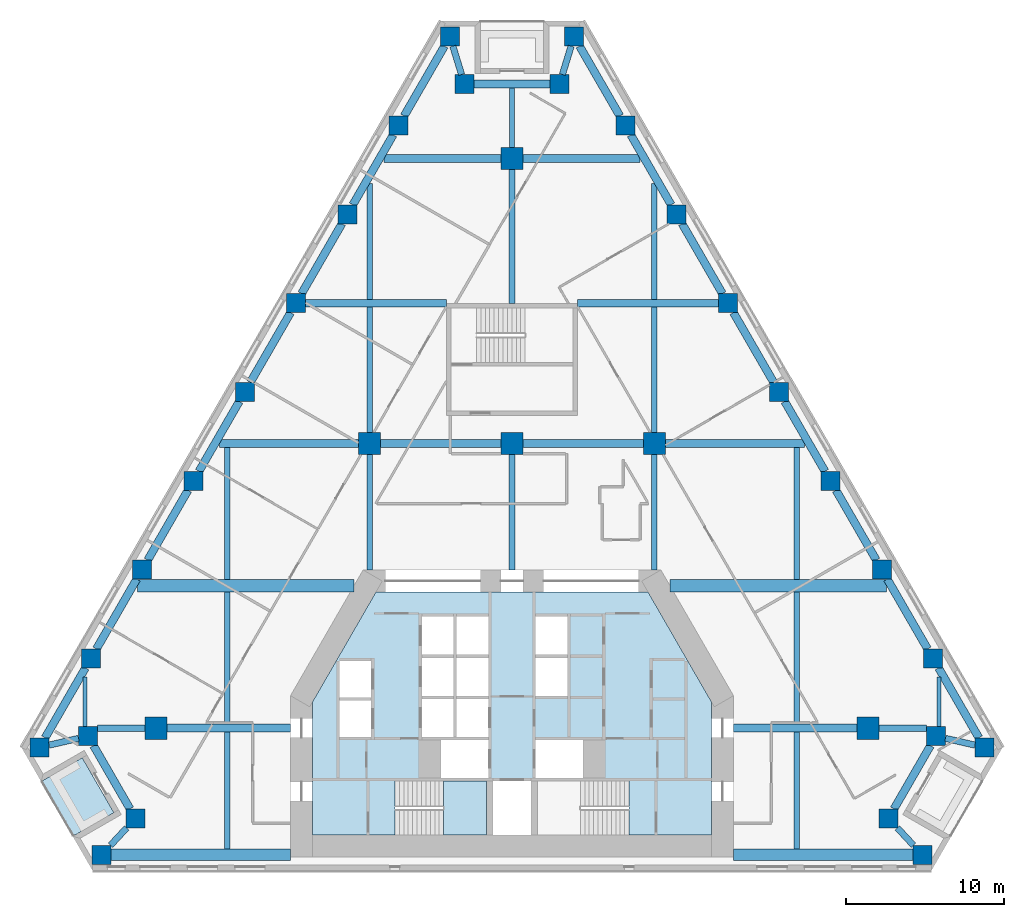
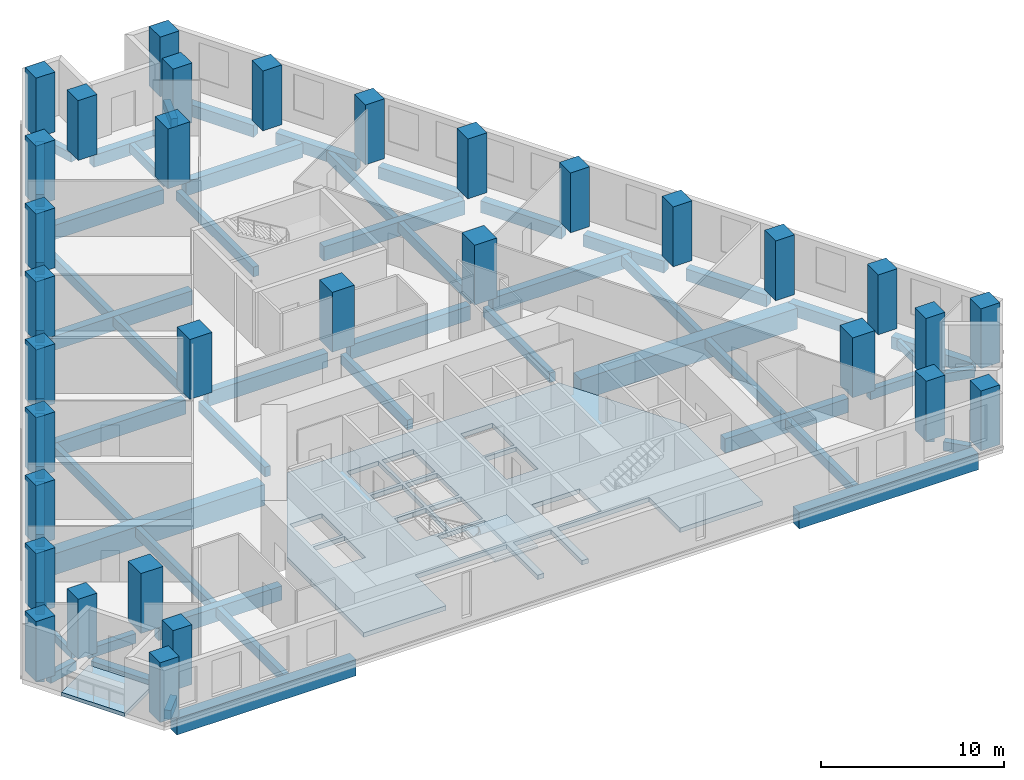
# One storey, part 1 of 9: 58 beams, 32 columns, 3 slabs, 1 element without a shape of its own.
"""IFC4 building model written with IfcOpenShell, lengths in metres."""

from ifc_helpers import new_model, si_unit, direction, frame, origin, origin_2d, place, context, subcontext, project, spatial, polyline, rectangle, outline, extrude, material, layer, layer_set, material_profile, profile_set, type_object, element, aggregate, save


model = new_model("IFC4")

# Units and contexts
model_context = context("Model", 3, precision=1e-05, world=origin(), true_north=direction((0.0, 1.0)))
body_context = subcontext(model_context, "Body", "Model", "MODEL_VIEW")
ifc_project = project(units=[si_unit("LENGTHUNIT", "METRE"), si_unit("AREAUNIT", "SQUARE_METRE"), si_unit("VOLUMEUNIT", "CUBIC_METRE"), si_unit("PLANEANGLEUNIT", "RADIAN"), si_unit("MASSUNIT", "GRAM", prefix="KILO")], contexts=[model_context])

# Site, building, storey
site_placement = place(None, origin())
site = spatial("IfcSite", under=ifc_project, at=site_placement, CompositionType="ELEMENT")
building_placement = place(site_placement, origin())
building = spatial("IfcBuilding", under=site, at=building_placement, Name="Fogline Exchange Tower", CompositionType="ELEMENT")
storey_placement = place(building_placement, frame((0.0, 0.0, 84.89990234375)))
storey = spatial("IfcBuildingStorey", under=building, at=storey_placement, Name="L18", CompositionType="ELEMENT", Elevation=84.89990234375)

# Columns
ifc_material_1 = material(Name="Concrete C80", Category="concrete")
ifc_material_profile_1 = material_profile(ifc_material_1, rectangle(XDim=1.199951171875, YDim=1.199951171875, at=origin_2d()), Name="RC 1200x1200")
ifc_profile_set_1 = profile_set([ifc_material_profile_1], Name="Concrete C80")
column_type_1 = type_object("IfcColumnType", Name="C01", PredefinedType="COLUMN", material=ifc_profile_set_1)
for number, where, z_axis, x_axis, name in (
    (1, (-29.855712890625, 7.794189453125, 0.0), (0.0, 0.0, 1.0), (1.0, 0.0, 0.0), "SW-a"),
    (2, (-26.79638671875, 8.4951171875, 0.0), (0.0, 0.0, 1.0), (1.0, 0.0, 0.0), "SW-p4"),
    (3, (-23.79638671875, 3.299072265625, 0.0), (0.0, 0.0, 1.0), (1.0, 0.0, 0.0), "SW-p3"),
    (4, (-25.93310546875, 1.0, 0.0), (0.0, 0.0, 1.0), (1.0, 0.0, 0.0), "SW-b"),
    (5, (25.93310546875, 1.0, 0.0), (0.0, 0.0, 1.0), (1.0, 0.0, 0.0), "SE-a"),
    (6, (23.79638671875, 3.299072265625, 0.0), (0.0, 0.0, 1.0), (1.0, 0.0, 0.0), "SE-p4"),
    (7, (26.79638671875, 8.4951171875, 0.0), (0.0, 0.0, 1.0), (1.0, 0.0, 0.0), "SE-p3"),
    (8, (29.855712890625, 7.794189453125, 0.0), (0.0, 0.0, 1.0), (1.0, 0.0, 0.0), "SE-b"),
    (9, (26.614013671875, 13.408935546875, 0.0), (0.0, 0.0, 1.0), (1.0, 0.0, 0.0), "E1"),
    (10, (23.37255859375, 19.023681640625, 0.0), (0.0, 0.0, 1.0), (1.0, 0.0, 0.0), "E2"),
    (11, (20.130859375, 24.63818359375, 0.0), (0.0, 0.0, 1.0), (1.0, 0.0, 0.0), "E3"),
    (12, (16.88916015625, 30.2529296875, 0.0), (0.0, 0.0, 1.0), (1.0, 0.0, 0.0), "E4"),
    (13, (13.647705078125, 35.86767578125, 0.0), (0.0, 0.0, 1.0), (1.0, 0.0, 0.0), "E5"),
    (14, (10.406005859375, 41.482421875, 0.0), (0.0, 0.0, 1.0), (1.0, 0.0, 0.0), "E6"),
    (15, (7.164306640625, 47.096923828125, 0.0), (0.0, 0.0, 1.0), (1.0, 0.0, 0.0), "E7"),
    (16, (3.922607421875, 52.711669921875, 0.0), (0.0, 0.0, 1.0), (1.0, 0.0, 0.0), "N-a"),
    (17, (3.0, 49.711669921875, 0.0), (0.0, 0.0, 1.0), (1.0, 0.0, 0.0), "N-p4"),
    (18, (-3.0, 49.711669921875, 0.0), (0.0, 0.0, 1.0), (1.0, 0.0, 0.0), "N-p3"),
    (19, (-3.922607421875, 52.711669921875, 0.0), (0.0, 0.0, 1.0), (1.0, 0.0, 0.0), "N-b"),
    (20, (-7.164306640625, 47.096923828125, 0.0), (0.0, 0.0, 1.0), (1.0, 0.0, 0.0), "W1"),
    (21, (-10.406005859375, 41.482421875, 0.0), (0.0, 0.0, 1.0), (1.0, 0.0, 0.0), "W2"),
    (22, (-13.647705078125, 35.86767578125, 0.0), (0.0, 0.0, 1.0), (1.0, 0.0, 0.0), "W3"),
    (23, (-16.88916015625, 30.2529296875, 0.0), (0.0, 0.0, 1.0), (1.0, 0.0, 0.0), "W4"),
    (24, (-20.130859375, 24.63818359375, 0.0), (0.0, 0.0, 1.0), (1.0, 0.0, 0.0), "W5"),
    (25, (-23.37255859375, 19.023681640625, 0.0), (0.0, 0.0, 1.0), (1.0, 0.0, 0.0), "W6"),
    (26, (-26.614013671875, 13.408935546875, 0.0), (0.0, 0.0, 1.0), (1.0, 0.0, 0.0), "W7"),
):
    element("IfcColumn", number, at=place(storey_placement, frame(where, z_axis=z_axis, x_axis=x_axis)), inside=storey, type_object=column_type_1, Name=name, PredefinedType="COLUMN", context=body_context, shape_type="SweptSolid", body=[
        extrude(rectangle(XDim=1.199951171875, YDim=1.199951171875, at=origin_2d()), origin(), (0.0, 0.0, 1.0), 4.0),
    ])
ifc_material_profile_2 = material_profile(ifc_material_1, rectangle(XDim=1.39990234375, YDim=1.39990234375, at=origin_2d()), Name="RC 1400x1400")
ifc_profile_set_2 = profile_set([ifc_material_profile_2], Name="Concrete C80")
column_type_2 = type_object("IfcColumnType", Name="C02", PredefinedType="COLUMN", material=ifc_profile_set_2)
for number, where, z_axis, x_axis, name in (
    (27, (-9.0, 27.0, 0.0), (0.0, 0.0, 1.0), (1.0, 0.0, 0.0), "IC--9-27"),
    (28, (0.0, 27.0, 0.0), (0.0, 0.0, 1.0), (1.0, 0.0, 0.0), "IC-0-27"),
    (29, (9.0, 27.0, 0.0), (0.0, 0.0, 1.0), (1.0, 0.0, 0.0), "IC-9-27"),
    (30, (0.0, 45.0, 0.0), (0.0, 0.0, 1.0), (1.0, 0.0, 0.0), "IC-0-45"),
    (31, (-22.5, 9.0, 0.0), (0.0, 0.0, 1.0), (1.0, 0.0, 0.0), "IC--225-9"),
    (32, (22.5, 9.0, 0.0), (0.0, 0.0, 1.0), (1.0, 0.0, 0.0), "IC-225-9"),
):
    element("IfcColumn", number, at=place(storey_placement, frame(where, z_axis=z_axis, x_axis=x_axis)), inside=storey, type_object=column_type_2, Name=name, PredefinedType="COLUMN", context=body_context, shape_type="SweptSolid", body=[
        extrude(rectangle(XDim=1.39990234375, YDim=1.39990234375, at=origin_2d()), origin(), (0.0, 0.0, 1.0), 4.0),
    ])

# Beams
ifc_material_2 = material(Name="Concrete C40", Category="concrete")
ifc_material_profile_3 = material_profile(ifc_material_2, rectangle(XDim=0.300048828125, YDim=0.60009765625, at=origin_2d()), Name="RC 300x600")
ifc_profile_set_3 = profile_set([ifc_material_profile_3], Name="Concrete C40")
beam_type_1 = type_object("IfcBeamType", Name="B06", PredefinedType="BEAM", material=ifc_profile_set_3)
beam_1_placement = place(storey_placement, frame((0.0, 45.699951171875, -0.599853515625), z_axis=(0.0, 1.0, 0.0), x_axis=(-1.0, 0.0, 0.0)))
element("IfcBeam", 33, at=beam_1_placement, inside=storey, type_object=beam_type_1, Name="SB010", PredefinedType="BEAM", context=body_context, shape_type="SweptSolid", body=[
    extrude(rectangle(XDim=0.300048828125, YDim=0.60009765625, at=origin_2d()), origin(), (0.0, 0.0, 1.0), 3.76171875),
])
ifc_material_profile_4 = material_profile(ifc_material_2, rectangle(XDim=0.25, YDim=0.5, at=origin_2d()), Name="RC 250x500")
ifc_profile_set_4 = profile_set([ifc_material_profile_4], Name="Concrete C40")
beam_type_2 = type_object("IfcBeamType", Name="B08", PredefinedType="BEAM", material=ifc_profile_set_4)
for number, where, z_axis, x_axis, name in (
    (34, (-27.0, 9.09521484375, -0.5498046875), (0.0, 1.0, 0.0), (-1.0, 0.0, 0.0), "SB001"),
    (35, (27.0, 9.09521484375, -0.5498046875), (0.0, 1.0, 0.0), (-1.0, 0.0, 0.0), "SB017"),
):
    element("IfcBeam", number, at=place(storey_placement, frame(where, z_axis=z_axis, x_axis=x_axis)), inside=storey, type_object=beam_type_2, Name=name, PredefinedType="BEAM", context=body_context, shape_type="SweptSolid", body=[
        extrude(rectangle(XDim=0.25, YDim=0.5, at=origin_2d()), origin(), (0.0, 0.0, 1.0), 3.145263671875),
    ])
ifc_material_profile_5 = material_profile(ifc_material_2, rectangle(XDim=0.5, YDim=0.800048828125, at=origin_2d()), Name="RC 500x800")
ifc_profile_set_5 = profile_set([ifc_material_profile_5], Name="Concrete C40")
beam_type_3 = type_object("IfcBeamType", Name="B10", PredefinedType="BEAM", material=ifc_profile_set_5)
for number, where, z_axis, x_axis, name in (
    (36, (-26.449951171875, 7.895263671875, -0.699951171875), (0.500014024385, -0.866017306651, 0.0), (0.866017306651, 0.500014024385, 0.0), "RB002"),
    (37, (24.142578125, 3.89892578125, -0.699951171875), (0.500014024385, 0.866017306651, 0.0), (-0.866017306651, 0.500014024385, 0.0), "RB007"),
):
    element("IfcBeam", number, at=place(storey_placement, frame(where, z_axis=z_axis, x_axis=x_axis)), inside=storey, type_object=beam_type_3, Name=name, PredefinedType="BEAM", context=body_context, shape_type="SweptSolid", body=[
        extrude(rectangle(XDim=0.5, YDim=0.800048828125, at=origin_2d()), origin(), (0.0, 0.0, 1.0), 4.614501953125),
    ])
beam_2_placement = place(storey_placement, frame((29.50927734375, 8.394287109375, -0.699951171875), z_axis=(-0.500012659481, 0.866018094706, 0.0), x_axis=(-0.866018094706, -0.500012659481, 0.0)))
element("IfcBeam", 38, at=beam_2_placement, inside=storey, type_object=beam_type_3, Name="RB009", PredefinedType="BEAM", context=body_context, shape_type="SweptSolid", body=[
    extrude(rectangle(XDim=0.5, YDim=0.800048828125, at=origin_2d()), origin(), (0.0, 0.0, 1.0), 5.097412109375),
])
for number, where, z_axis, x_axis, name in (
    (39, (26.267578125, 14.0087890625, -0.699951171875), (-0.499956000529, 0.8660508054, 0.0), (-0.8660508054, -0.499956000529, 0.0), "RB010"),
    (40, (23.026123046875, 19.62353515625, -0.699951171875), (-0.499991921166, 0.866030068051, 0.0), (-0.866030068051, -0.499991921166, 0.0), "RB011"),
):
    element("IfcBeam", number, at=place(storey_placement, frame(where, z_axis=z_axis, x_axis=x_axis)), inside=storey, type_object=beam_type_3, Name=name, PredefinedType="BEAM", context=body_context, shape_type="SweptSolid", body=[
        extrude(rectangle(XDim=0.5, YDim=0.800048828125, at=origin_2d()), origin(), (0.0, 0.0, 1.0), 5.09765625),
    ])
beam_3_placement = place(storey_placement, frame((19.784423828125, 25.23828125, -0.699951171875), z_axis=(-0.500012659481, 0.866018094706, 0.0), x_axis=(-0.866018094706, -0.500012659481, 0.0)))
element("IfcBeam", 41, at=beam_3_placement, inside=storey, type_object=beam_type_3, Name="RB012", PredefinedType="BEAM", context=body_context, shape_type="SweptSolid", body=[
    extrude(rectangle(XDim=0.5, YDim=0.800048828125, at=origin_2d()), origin(), (0.0, 0.0, 1.0), 5.097412109375),
])
for number, where, z_axis, x_axis, name in (
    (42, (16.542724609375, 30.852783203125, -0.699951171875), (-0.499991921166, 0.866030068051, 0.0), (-0.866030068051, -0.499991921166, 0.0), "RB013"),
    (43, (13.301025390625, 36.467529296875, -0.699951171875), (-0.499991921166, 0.866030068051, 0.0), (-0.866030068051, -0.499991921166, 0.0), "RB014"),
    (44, (10.0595703125, 42.082275390625, -0.699951171875), (-0.499991921166, 0.866030068051, 0.0), (-0.866030068051, -0.499991921166, 0.0), "RB015"),
    (45, (6.81787109375, 47.697021484375, -0.699951171875), (-0.499991921166, 0.866030068051, 0.0), (-0.866030068051, -0.499991921166, 0.0), "RB016"),
):
    element("IfcBeam", number, at=place(storey_placement, frame(where, z_axis=z_axis, x_axis=x_axis)), inside=storey, type_object=beam_type_3, Name=name, PredefinedType="BEAM", context=body_context, shape_type="SweptSolid", body=[
        extrude(rectangle(XDim=0.5, YDim=0.800048828125, at=origin_2d()), origin(), (0.0, 0.0, 1.0), 5.09765625),
    ])
beam_4_placement = place(storey_placement, frame((2.39990234375, 49.711669921875, -0.699951171875), z_axis=(-1.0, 0.0, 0.0), x_axis=(0.0, -1.0, 0.0)))
element("IfcBeam", 46, at=beam_4_placement, inside=storey, type_object=beam_type_3, Name="RB018", PredefinedType="BEAM", context=body_context, shape_type="SweptSolid", body=[
    extrude(rectangle(XDim=0.5, YDim=0.800048828125, at=origin_2d()), origin(), (0.0, 0.0, 1.0), 4.7998046875),
])
for number, where, z_axis, x_axis, name in (
    (47, (-4.26904296875, 52.11181640625, -0.699951171875), (-0.499991921166, -0.866030068051, 0.0), (0.866030068051, -0.499991921166, 0.0), "RB020"),
    (48, (-7.5107421875, 46.4970703125, -0.699951171875), (-0.499991921166, -0.866030068051, 0.0), (0.866030068051, -0.499991921166, 0.0), "RB021"),
    (49, (-10.752197265625, 40.88232421875, -0.699951171875), (-0.499991921166, -0.866030068051, 0.0), (0.866030068051, -0.499991921166, 0.0), "RB022"),
    (50, (-13.993896484375, 35.267578125, -0.699951171875), (-0.499991921166, -0.866030068051, 0.0), (0.866030068051, -0.499991921166, 0.0), "RB023"),
):
    element("IfcBeam", number, at=place(storey_placement, frame(where, z_axis=z_axis, x_axis=x_axis)), inside=storey, type_object=beam_type_3, Name=name, PredefinedType="BEAM", context=body_context, shape_type="SweptSolid", body=[
        extrude(rectangle(XDim=0.5, YDim=0.800048828125, at=origin_2d()), origin(), (0.0, 0.0, 1.0), 5.09765625),
    ])
beam_5_placement = place(storey_placement, frame((-17.235595703125, 29.65283203125, -0.699951171875), z_axis=(-0.500012659481, -0.866018094706, 0.0), x_axis=(0.866018094706, -0.500012659481, 0.0)))
element("IfcBeam", 51, at=beam_5_placement, inside=storey, type_object=beam_type_3, Name="RB024", PredefinedType="BEAM", context=body_context, shape_type="SweptSolid", body=[
    extrude(rectangle(XDim=0.5, YDim=0.800048828125, at=origin_2d()), origin(), (0.0, 0.0, 1.0), 5.097412109375),
])
for number, where, z_axis, x_axis, name in (
    (52, (-20.477294921875, 24.038330078125, -0.699951171875), (-0.499991921166, -0.866030068051, 0.0), (0.866030068051, -0.499991921166, 0.0), "RB025"),
    (53, (-23.718994140625, 18.423583984375, -0.699951171875), (-0.499956000529, -0.8660508054, 0.0), (0.8660508054, -0.499956000529, 0.0), "RB026"),
):
    element("IfcBeam", number, at=place(storey_placement, frame(where, z_axis=z_axis, x_axis=x_axis)), inside=storey, type_object=beam_type_3, Name=name, PredefinedType="BEAM", context=body_context, shape_type="SweptSolid", body=[
        extrude(rectangle(XDim=0.5, YDim=0.800048828125, at=origin_2d()), origin(), (0.0, 0.0, 1.0), 5.09765625),
    ])
beam_6_placement = place(storey_placement, frame((-26.96044921875, 12.808837890625, -0.699951171875), z_axis=(-0.500012659481, -0.866018094706, 0.0), x_axis=(0.866018094706, -0.500012659481, 0.0)))
element("IfcBeam", 54, at=beam_6_placement, inside=storey, type_object=beam_type_3, Name="RB027", PredefinedType="BEAM", context=body_context, shape_type="SweptSolid", body=[
    extrude(rectangle(XDim=0.5, YDim=0.800048828125, at=origin_2d()), origin(), (0.0, 0.0, 1.0), 5.097412109375),
])
ifc_material_profile_6 = material_profile(ifc_material_2, rectangle(XDim=0.39990234375, YDim=0.60009765625, at=origin_2d()), Name="RC 400x600")
ifc_profile_set_6 = profile_set([ifc_material_profile_6], Name="Concrete C40")
beam_type_4 = type_object("IfcBeamType", Name="B11", PredefinedType="BEAM", material=ifc_profile_set_6)
beam_7_placement = place(storey_placement, frame((-29.255615234375, 7.931640625, -0.599853515625), z_axis=(0.974741606569, 0.223335622829, 0.0), x_axis=(-0.223335622829, 0.974741606569, 0.0)))
element("IfcBeam", 55, at=beam_7_placement, inside=storey, type_object=beam_type_4, Name="RB001", PredefinedType="BEAM", context=body_context, shape_type="SweptSolid", body=[
    extrude(rectangle(XDim=0.39990234375, YDim=0.60009765625, at=origin_2d()), origin(), (0.0, 0.0, 1.0), 1.907470703125),
])
for number, where, z_axis, x_axis, name in (
    (56, (-24.35400390625, 2.698974609375, -0.599853515625), (-0.680844217962, -0.732428256464, 0.0), (0.732428256464, -0.680844217962, 0.0), "RB003"),
    (57, (25.37548828125, 1.60009765625, -0.599853515625), (-0.680844217962, 0.732428256464, 0.0), (-0.732428256464, -0.680844217962, 0.0), "RB006"),
):
    element("IfcBeam", number, at=place(storey_placement, frame(where, z_axis=z_axis, x_axis=x_axis)), inside=storey, type_object=beam_type_4, Name=name, PredefinedType="BEAM", context=body_context, shape_type="SweptSolid", body=[
        extrude(rectangle(XDim=0.39990234375, YDim=0.60009765625, at=origin_2d()), origin(), (0.0, 0.0, 1.0), 1.500244140625),
    ])
beam_8_placement = place(storey_placement, frame((27.396240234375, 8.357666015625, -0.599853515625), z_axis=(0.974741606569, -0.223335622829, 0.0), x_axis=(0.223335622829, 0.974741606569, 0.0)))
element("IfcBeam", 58, at=beam_8_placement, inside=storey, type_object=beam_type_4, Name="RB008", PredefinedType="BEAM", context=body_context, shape_type="SweptSolid", body=[
    extrude(rectangle(XDim=0.39990234375, YDim=0.60009765625, at=origin_2d()), origin(), (0.0, 0.0, 1.0), 1.907470703125),
])
for number, where, z_axis, x_axis, name in (
    (59, (3.738037109375, 52.11181640625, -0.599853515625), (-0.293894535925, -0.955837853275, 0.0), (0.955837853275, -0.293894535925, 0.0), "RB017"),
    (60, (-3.1845703125, 50.311767578125, -0.599853515625), (-0.293894535925, 0.955837853275, 0.0), (-0.955837853275, -0.293894535925, 0.0), "RB019"),
):
    element("IfcBeam", number, at=place(storey_placement, frame(where, z_axis=z_axis, x_axis=x_axis)), inside=storey, type_object=beam_type_4, Name=name, PredefinedType="BEAM", context=body_context, shape_type="SweptSolid", body=[
        extrude(rectangle(XDim=0.39990234375, YDim=0.60009765625, at=origin_2d()), origin(), (0.0, 0.0, 1.0), 1.88330078125),
    ])
ifc_material_profile_7 = material_profile(ifc_material_2, rectangle(XDim=0.699951171875, YDim=1.10009765625, at=origin_2d()), Name="RC 700x1100")
ifc_profile_set_7 = profile_set([ifc_material_profile_7], Name="Concrete C40")
beam_type_5 = type_object("IfcBeamType", Name="B12", PredefinedType="BEAM", material=ifc_profile_set_7)
for number, where, z_axis, x_axis, name in (
    (61, (-25.3330078125, 1.0, -0.849853515625), (1.0, 0.0, 0.0), (0.0, 1.0, 0.0), "RB004"),
    (62, (14.0, 1.0, -0.849853515625), (1.0, 0.0, 0.0), (0.0, 1.0, 0.0), "RB005"),
):
    element("IfcBeam", number, at=place(storey_placement, frame(where, z_axis=z_axis, x_axis=x_axis)), inside=storey, type_object=beam_type_5, Name=name, PredefinedType="BEAM", context=body_context, shape_type="SweptSolid", body=[
        extrude(rectangle(XDim=0.699951171875, YDim=1.10009765625, at=origin_2d()), origin(), (0.0, 0.0, 1.0), 11.3330078125),
    ])
ifc_material_profile_8 = material_profile(ifc_material_2, rectangle(XDim=0.39990234375, YDim=0.64990234375, at=origin_2d()), Name="RC 400x650")
ifc_profile_set_8 = profile_set([ifc_material_profile_8], Name="Concrete C40")
beam_type_6 = type_object("IfcBeamType", Name="B13", PredefinedType="BEAM", material=ifc_profile_set_8)
for number, where, z_axis, x_axis, name in (
    (63, (-26.1962890625, 9.0, -0.625), (1.0, 0.0, 0.0), (0.0, 1.0, 0.0), "GB001"),
    (64, (23.199951171875, 9.0, -0.625), (1.0, 0.0, 0.0), (0.0, 1.0, 0.0), "GB004"),
):
    element("IfcBeam", number, at=place(storey_placement, frame(where, z_axis=z_axis, x_axis=x_axis)), inside=storey, type_object=beam_type_6, Name=name, PredefinedType="BEAM", context=body_context, shape_type="SweptSolid", body=[
        extrude(rectangle(XDim=0.39990234375, YDim=0.64990234375, at=origin_2d()), origin(), (0.0, 0.0, 1.0), 2.996337890625),
    ])
ifc_material_profile_9 = material_profile(ifc_material_2, rectangle(XDim=0.5, YDim=0.949951171875, at=origin_2d()), Name="RC 500x950")
ifc_profile_set_9 = profile_set([ifc_material_profile_9], Name="Concrete C40")
beam_type_7 = type_object("IfcBeamType", Name="B14", PredefinedType="BEAM", material=ifc_profile_set_9)
for number, where, z_axis, x_axis, name in (
    (65, (-21.800048828125, 9.0, -0.77490234375), (1.0, 0.0, 0.0), (0.0, 1.0, 0.0), "GB002"),
    (66, (14.0, 9.0, -0.77490234375), (1.0, 0.0, 0.0), (0.0, 1.0, 0.0), "GB003"),
):
    element("IfcBeam", number, at=place(storey_placement, frame(where, z_axis=z_axis, x_axis=x_axis)), inside=storey, type_object=beam_type_7, Name=name, PredefinedType="BEAM", context=body_context, shape_type="SweptSolid", body=[
        extrude(rectangle(XDim=0.5, YDim=0.949951171875, at=origin_2d()), origin(), (0.0, 0.0, 1.0), 7.800048828125),
    ])
beam_9_placement = place(storey_placement, frame((-18.478515625, 27.0, -0.77490234375), z_axis=(1.0, 0.0, 0.0), x_axis=(0.0, 1.0, 0.0)))
element("IfcBeam", 67, at=beam_9_placement, inside=storey, type_object=beam_type_7, Name="GB007", PredefinedType="BEAM", context=body_context, shape_type="SweptSolid", body=[
    extrude(rectangle(XDim=0.5, YDim=0.949951171875, at=origin_2d()), origin(), (0.0, 0.0, 1.0), 8.778564453125),
])
for number, where, z_axis, x_axis, name in (
    (68, (-8.300048828125, 27.0, -0.77490234375), (1.0, 0.0, 0.0), (0.0, 1.0, 0.0), "GB008"),
    (69, (0.699951171875, 27.0, -0.77490234375), (1.0, 0.0, 0.0), (0.0, 1.0, 0.0), "GB009"),
):
    element("IfcBeam", number, at=place(storey_placement, frame(where, z_axis=z_axis, x_axis=x_axis)), inside=storey, type_object=beam_type_7, Name=name, PredefinedType="BEAM", context=body_context, shape_type="SweptSolid", body=[
        extrude(rectangle(XDim=0.5, YDim=0.949951171875, at=origin_2d()), origin(), (0.0, 0.0, 1.0), 7.60009765625),
    ])
beam_10_placement = place(storey_placement, frame((9.699951171875, 27.0, -0.77490234375), z_axis=(1.0, 0.0, 0.0), x_axis=(0.0, 1.0, 0.0)))
element("IfcBeam", 70, at=beam_10_placement, inside=storey, type_object=beam_type_7, Name="GB010", PredefinedType="BEAM", context=body_context, shape_type="SweptSolid", body=[
    extrude(rectangle(XDim=0.5, YDim=0.949951171875, at=origin_2d()), origin(), (0.0, 0.0, 1.0), 8.778564453125),
])
for number, where, z_axis, x_axis, name in (
    (71, (-13.047607421875, 35.85693359375, -0.77490234375), (1.0, 0.0, 0.0), (0.0, 1.0, 0.0), "GB011"),
    (72, (4.14990234375, 35.85693359375, -0.77490234375), (1.0, 0.0, 0.0), (0.0, 1.0, 0.0), "GB012"),
):
    element("IfcBeam", number, at=place(storey_placement, frame(where, z_axis=z_axis, x_axis=x_axis)), inside=storey, type_object=beam_type_7, Name=name, PredefinedType="BEAM", context=body_context, shape_type="SweptSolid", body=[
        extrude(rectangle(XDim=0.5, YDim=0.949951171875, at=origin_2d()), origin(), (0.0, 0.0, 1.0), 8.897705078125),
    ])
for number, where, z_axis, x_axis, name in (
    (73, (-8.086181640625, 45.0, -0.77490234375), (1.0, 0.0, 0.0), (0.0, 1.0, 0.0), "GB013"),
    (74, (0.699951171875, 45.0, -0.77490234375), (1.0, 0.0, 0.0), (0.0, 1.0, 0.0), "GB014"),
):
    element("IfcBeam", number, at=place(storey_placement, frame(where, z_axis=z_axis, x_axis=x_axis)), inside=storey, type_object=beam_type_7, Name=name, PredefinedType="BEAM", context=body_context, shape_type="SweptSolid", body=[
        extrude(rectangle(XDim=0.5, YDim=0.949951171875, at=origin_2d()), origin(), (0.0, 0.0, 1.0), 7.38623046875),
    ])
ifc_material_profile_10 = material_profile(ifc_material_2, rectangle(XDim=0.800048828125, YDim=1.39990234375, at=origin_2d()), Name="RC 800x1400")
ifc_profile_set_10 = profile_set([ifc_material_profile_10], Name="Concrete C40")
beam_type_8 = type_object("IfcBeamType", Name="B15", PredefinedType="BEAM", material=ifc_profile_set_10)
for number, where, z_axis, x_axis, name in (
    (75, (-23.6748046875, 18.0, -1.0), (1.0, 0.0, 0.0), (0.0, 1.0, 0.0), "GB005"),
    (76, (9.989013671875, 18.0, -1.0), (1.0, 0.0, 0.0), (0.0, 1.0, 0.0), "GB006"),
):
    element("IfcBeam", number, at=place(storey_placement, frame(where, z_axis=z_axis, x_axis=x_axis)), inside=storey, type_object=beam_type_8, Name=name, PredefinedType="BEAM", context=body_context, shape_type="SweptSolid", body=[
        extrude(rectangle(XDim=0.800048828125, YDim=1.39990234375, at=origin_2d()), origin(), (0.0, 0.0, 1.0), 13.685791015625),
    ])
ifc_material_profile_11 = material_profile(ifc_material_2, rectangle(XDim=0.35009765625, YDim=0.64990234375, at=origin_2d()), Name="RC 350x650")
ifc_profile_set_11 = profile_set([ifc_material_profile_11], Name="Concrete C40")
beam_type_9 = type_object("IfcBeamType", Name="B16", PredefinedType="BEAM", material=ifc_profile_set_11)
beam_11_placement = place(storey_placement, frame((-18.0, 1.35009765625, -0.625), z_axis=(0.0, 1.0, 0.0), x_axis=(-1.0, 0.0, 0.0)))
element("IfcBeam", 77, at=beam_11_placement, inside=storey, type_object=beam_type_9, Name="SB002", PredefinedType="BEAM", context=body_context, shape_type="SweptSolid", body=[
    extrude(rectangle(XDim=0.35009765625, YDim=0.64990234375, at=origin_2d()), origin(), (0.0, 0.0, 1.0), 7.39990234375),
])
for number, where, z_axis, x_axis, name in (
    (78, (-18.0, 9.25, -0.625), (0.0, 1.0, 0.0), (-1.0, 0.0, 0.0), "SB003"),
    (79, (-18.0, 18.39990234375, -0.625), (0.0, 1.0, 0.0), (-1.0, 0.0, 0.0), "SB004"),
):
    element("IfcBeam", number, at=place(storey_placement, frame(where, z_axis=z_axis, x_axis=x_axis)), inside=storey, type_object=beam_type_9, Name=name, PredefinedType="BEAM", context=body_context, shape_type="SweptSolid", body=[
        extrude(rectangle(XDim=0.35009765625, YDim=0.64990234375, at=origin_2d()), origin(), (0.0, 0.0, 1.0), 8.35009765625),
    ])
beam_12_placement = place(storey_placement, frame((-9.0, 19.0, -0.625), z_axis=(0.0, 1.0, 0.0), x_axis=(-1.0, 0.0, 0.0)))
element("IfcBeam", 80, at=beam_12_placement, inside=storey, type_object=beam_type_9, Name="SB005", PredefinedType="BEAM", context=body_context, shape_type="SweptSolid", body=[
    extrude(rectangle(XDim=0.35009765625, YDim=0.64990234375, at=origin_2d()), origin(), (0.0, 0.0, 1.0), 7.300048828125),
])
beam_13_placement = place(storey_placement, frame((-9.0, 27.699951171875, -0.625), z_axis=(0.0, 1.0, 0.0), x_axis=(-1.0, 0.0, 0.0)))
element("IfcBeam", 81, at=beam_13_placement, inside=storey, type_object=beam_type_9, Name="SB006", PredefinedType="BEAM", context=body_context, shape_type="SweptSolid", body=[
    extrude(rectangle(XDim=0.35009765625, YDim=0.64990234375, at=origin_2d()), origin(), (0.0, 0.0, 1.0), 7.906982421875),
])
beam_14_placement = place(storey_placement, frame((-9.0, 36.10693359375, -0.625), z_axis=(0.0, 1.0, 0.0), x_axis=(-1.0, 0.0, 0.0)))
element("IfcBeam", 82, at=beam_14_placement, inside=storey, type_object=beam_type_9, Name="SB007", PredefinedType="BEAM", context=body_context, shape_type="SweptSolid", body=[
    extrude(rectangle(XDim=0.35009765625, YDim=0.64990234375, at=origin_2d()), origin(), (0.0, 0.0, 1.0), 7.310546875),
])
beam_15_placement = place(storey_placement, frame((0.0, 19.0, -0.625), z_axis=(0.0, 1.0, 0.0), x_axis=(-1.0, 0.0, 0.0)))
element("IfcBeam", 83, at=beam_15_placement, inside=storey, type_object=beam_type_9, Name="SB008", PredefinedType="BEAM", context=body_context, shape_type="SweptSolid", body=[
    extrude(rectangle(XDim=0.35009765625, YDim=0.64990234375, at=origin_2d()), origin(), (0.0, 0.0, 1.0), 7.300048828125),
])
beam_16_placement = place(storey_placement, frame((0.0, 35.85693359375, -0.625), z_axis=(0.0, 1.0, 0.0), x_axis=(-1.0, 0.0, 0.0)))
element("IfcBeam", 84, at=beam_16_placement, inside=storey, type_object=beam_type_9, Name="SB009", PredefinedType="BEAM", context=body_context, shape_type="SweptSolid", body=[
    extrude(rectangle(XDim=0.35009765625, YDim=0.64990234375, at=origin_2d()), origin(), (0.0, 0.0, 1.0), 8.443115234375),
])
beam_17_placement = place(storey_placement, frame((9.0, 19.0, -0.625), z_axis=(0.0, 1.0, 0.0), x_axis=(-1.0, 0.0, 0.0)))
element("IfcBeam", 85, at=beam_17_placement, inside=storey, type_object=beam_type_9, Name="SB011", PredefinedType="BEAM", context=body_context, shape_type="SweptSolid", body=[
    extrude(rectangle(XDim=0.35009765625, YDim=0.64990234375, at=origin_2d()), origin(), (0.0, 0.0, 1.0), 7.300048828125),
])
beam_18_placement = place(storey_placement, frame((9.0, 27.699951171875, -0.625), z_axis=(0.0, 1.0, 0.0), x_axis=(-1.0, 0.0, 0.0)))
element("IfcBeam", 86, at=beam_18_placement, inside=storey, type_object=beam_type_9, Name="SB012", PredefinedType="BEAM", context=body_context, shape_type="SweptSolid", body=[
    extrude(rectangle(XDim=0.35009765625, YDim=0.64990234375, at=origin_2d()), origin(), (0.0, 0.0, 1.0), 7.906982421875),
])
beam_19_placement = place(storey_placement, frame((9.0, 36.10693359375, -0.625), z_axis=(0.0, 1.0, 0.0), x_axis=(-1.0, 0.0, 0.0)))
element("IfcBeam", 87, at=beam_19_placement, inside=storey, type_object=beam_type_9, Name="SB013", PredefinedType="BEAM", context=body_context, shape_type="SweptSolid", body=[
    extrude(rectangle(XDim=0.35009765625, YDim=0.64990234375, at=origin_2d()), origin(), (0.0, 0.0, 1.0), 7.310546875),
])
beam_20_placement = place(storey_placement, frame((18.0, 1.35009765625, -0.625), z_axis=(0.0, 1.0, 0.0), x_axis=(-1.0, 0.0, 0.0)))
element("IfcBeam", 88, at=beam_20_placement, inside=storey, type_object=beam_type_9, Name="SB014", PredefinedType="BEAM", context=body_context, shape_type="SweptSolid", body=[
    extrude(rectangle(XDim=0.35009765625, YDim=0.64990234375, at=origin_2d()), origin(), (0.0, 0.0, 1.0), 7.39990234375),
])
for number, where, z_axis, x_axis, name in (
    (89, (18.0, 9.25, -0.625), (0.0, 1.0, 0.0), (-1.0, 0.0, 0.0), "SB015"),
    (90, (18.0, 18.39990234375, -0.625), (0.0, 1.0, 0.0), (-1.0, 0.0, 0.0), "SB016"),
):
    element("IfcBeam", number, at=place(storey_placement, frame(where, z_axis=z_axis, x_axis=x_axis)), inside=storey, type_object=beam_type_9, Name=name, PredefinedType="BEAM", context=body_context, shape_type="SweptSolid", body=[
        extrude(rectangle(XDim=0.35009765625, YDim=0.64990234375, at=origin_2d()), origin(), (0.0, 0.0, 1.0), 8.35009765625),
    ])

# Slabs
ifc_layer_1 = layer(ifc_material_2, 0.25)
ifc_layer_set_1 = layer_set([ifc_layer_1], Name="DK1")
slab_type_1 = type_object("IfcSlabType", Name="DK1", PredefinedType="FLOOR", material=ifc_layer_set_1)
slab_1_placement = place(storey_placement, frame((0.0, 0.0, -0.25)))
element("IfcSlab", 91, at=slab_1_placement, inside=storey, type_object=slab_type_1, Name="Balcony L18 SW", PredefinedType="FLOOR", context=body_context, shape_type="SweptSolid", body=[
    extrude(outline(polyline([(-29.760498046875, 5.629150390625), (-27.760498046875, 2.1650390625), (-25.162353515625, 3.6650390625), (-27.162353515625, 7.129150390625), (-29.760498046875, 5.629150390625)])), origin(), (0.0, 0.0, 1.0), 0.25),
])
ifc_layer_2 = layer(ifc_material_2, 0.300048828125)
ifc_layer_set_2 = layer_set([ifc_layer_2], Name="S04")
slab_type_2 = type_object("IfcSlabType", Name="S04", PredefinedType="FLOOR", material=ifc_layer_set_2)
slab_2_placement = place(storey_placement, frame((0.0, 0.0, -0.2998046875)))
element("IfcSlab", 92, at=slab_2_placement, inside=storey, type_object=slab_type_2, Name="Core floor slab", PredefinedType="FLOOR", context=body_context, shape_type="SweptSolid", body=[
    extrude(outline(polyline([(-12.60009765625, 2.25), (-12.60009765625, 10.677490234375), (-8.603271484375, 17.60009765625), (8.603271484375, 17.60009765625), (12.60009765625, 10.677490234375), (12.60009765625, 2.25), (7.389892578125, 2.25), (7.389892578125, 5.64990234375), (1.60009765625, 5.64990234375), (1.60009765625, 2.25), (1.199951171875, 2.25), (1.199951171875, 5.64990234375), (-1.199951171875, 5.64990234375), (-1.199951171875, 2.25), (-1.60009765625, 2.25), (-1.60009765625, 5.64990234375), (-7.389892578125, 5.64990234375), (-7.389892578125, 2.25), (-12.60009765625, 2.25)]), holes=[polyline([(-1.5, 8.25), (-4.5, 8.25), (-4.5, 5.85009765625), (-1.5, 5.85009765625), (-1.5, 8.25)]), polyline([(-8.89990234375, 10.75), (-10.89990234375, 10.75), (-10.89990234375, 8.449951171875), (-8.89990234375, 8.449951171875), (-8.89990234375, 10.75)]), polyline([(-3.699951171875, 10.85009765625), (-5.699951171875, 10.85009765625), (-5.699951171875, 8.449951171875), (-3.699951171875, 8.449951171875), (-3.699951171875, 10.85009765625)]), polyline([(-1.5, 10.85009765625), (-3.5, 10.85009765625), (-3.5, 8.449951171875), (-1.5, 8.449951171875), (-1.5, 10.85009765625)]), polyline([(-8.89990234375, 13.25), (-10.89990234375, 13.25), (-10.89990234375, 10.949951171875), (-8.89990234375, 10.949951171875), (-8.89990234375, 13.25)]), polyline([(-3.699951171875, 13.449951171875), (-5.699951171875, 13.449951171875), (-5.699951171875, 11.050048828125), (-3.699951171875, 11.050048828125), (-3.699951171875, 13.449951171875)]), polyline([(-3.699951171875, 16.050048828125), (-5.699951171875, 16.050048828125), (-5.699951171875, 13.64990234375), (-3.699951171875, 13.64990234375), (-3.699951171875, 16.050048828125)]), polyline([(4.5, 8.25), (1.5, 8.25), (1.5, 5.85009765625), (4.5, 5.85009765625), (4.5, 8.25)]), polyline([(-1.5, 13.449951171875), (-3.5, 13.449951171875), (-3.5, 11.050048828125), (-1.5, 11.050048828125), (-1.5, 13.449951171875)]), polyline([(3.5, 13.449951171875), (1.5, 13.449951171875), (1.5, 11.050048828125), (3.5, 11.050048828125), (3.5, 13.449951171875)]), polyline([(-1.5, 16.050048828125), (-3.5, 16.050048828125), (-3.5, 13.64990234375), (-1.5, 13.64990234375), (-1.5, 16.050048828125)]), polyline([(3.5, 16.050048828125), (1.5, 16.050048828125), (1.5, 13.64990234375), (3.5, 13.64990234375), (3.5, 16.050048828125)])]), origin(), (0.0, 0.0, 1.0), 0.2998046875),
])

# Stair, slab
stair_type = type_object("IfcStairType", Name="STR24-1667", PredefinedType="HALF_TURN_STAIR", material=ifc_material_2)
stair_placement = place(storey_placement, origin())
stair = element("IfcStair", 93, at=stair_placement, inside=storey, type_object=stair_type, Name="Stair ST1", PredefinedType="HALF_TURN_STAIR")
ifc_layer_3 = layer(ifc_material_2, 0.199951171875)
ifc_layer_set_3 = layer_set([ifc_layer_3], Name="SL200")
slab_type_3 = type_object("IfcSlabType", Name="SL200", PredefinedType="LANDING", material=ifc_layer_set_3)
slab_3_placement = place(storey_placement, frame((0.0, 0.0, 1.800048828125)))
slab_3 = element("IfcSlab", 94, at=slab_3_placement, type_object=slab_type_3, Name="ST1 landing 1", PredefinedType="LANDING", context=body_context, shape_type="SweptSolid", body=[
    extrude(outline(polyline([(-4.320068359375, 2.25), (-1.60009765625, 2.25), (-1.60009765625, 5.64990234375), (-4.320068359375, 5.64990234375), (-4.320068359375, 2.25)])), origin(), (0.0, 0.0, 1.0), 0.199951171875),
])
aggregate(stair, [slab_3])

save(model, "model.ifc")
